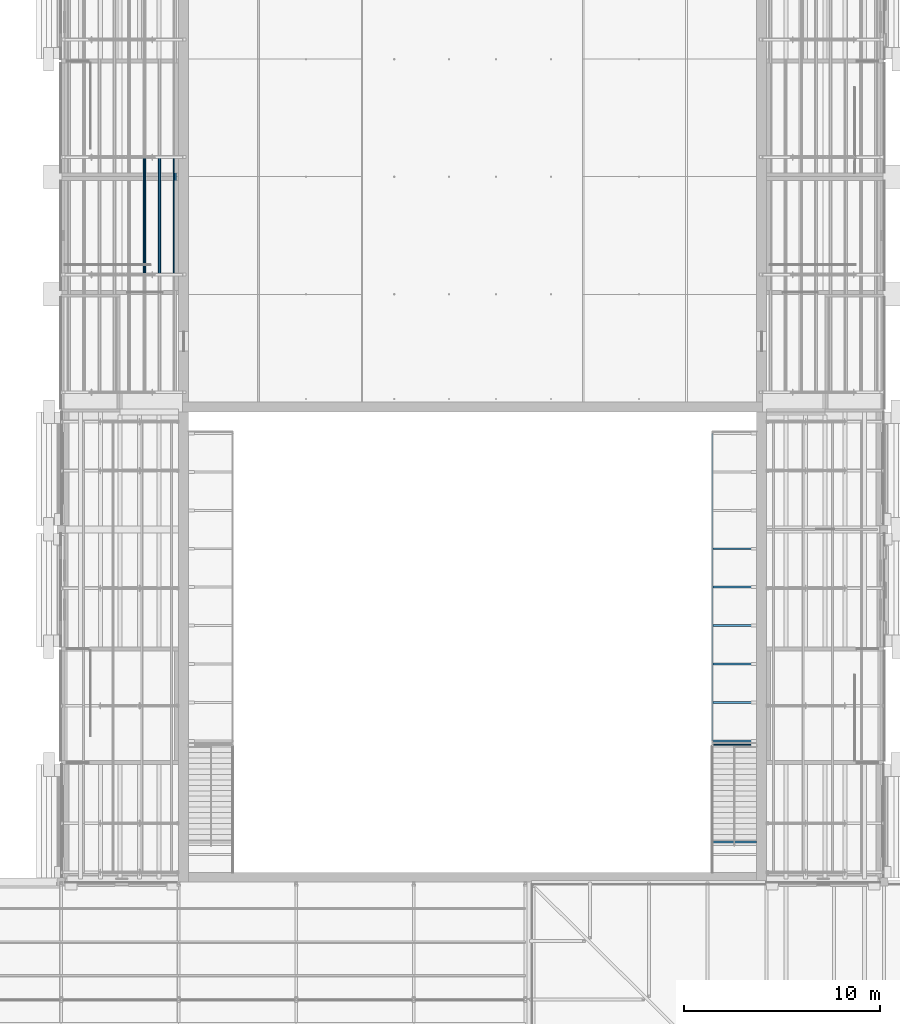
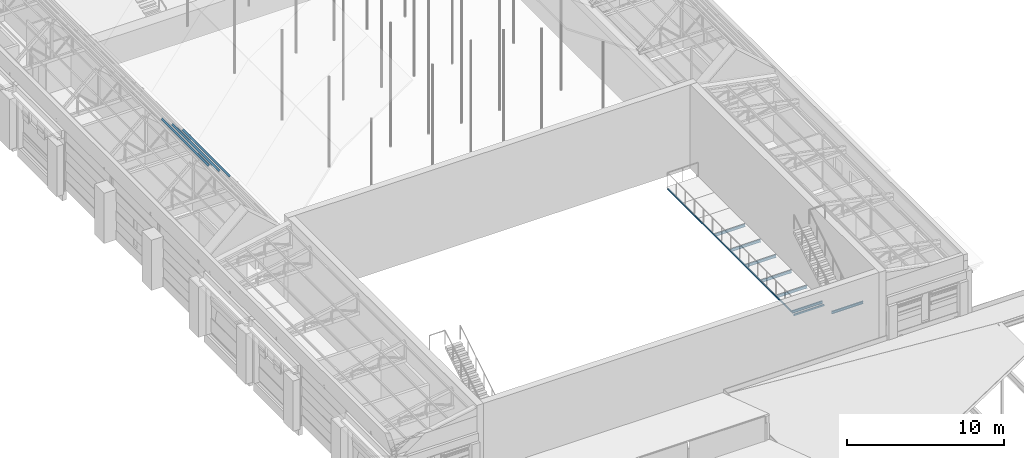
# One storey, part 30 of 118: 9 beams, 3 members.
"""IFC4 building model written with IfcOpenShell, lengths in metres."""

from ifc_helpers import new_model, si_unit, direction, frame, origin, origin_2d, place, context, subcontext, project, spatial, hollow_rectangle, i_section, extrude, material, material_profile, profile_set, type_object, element, save


model = new_model("IFC4")

# Units and contexts
model_context = context("Model", 3, precision=1e-05, world=origin(), true_north=direction((0.0, 1.0)))
body_context = subcontext(model_context, "Body", "Model", "MODEL_VIEW")
ifc_project = project(units=[si_unit("LENGTHUNIT", "METRE"), si_unit("AREAUNIT", "SQUARE_METRE"), si_unit("VOLUMEUNIT", "CUBIC_METRE"), si_unit("PLANEANGLEUNIT", "RADIAN"), si_unit("MASSUNIT", "GRAM", prefix="KILO")], contexts=[model_context])

# Site, building, storey
site_placement = place(None, origin())
site = spatial("IfcSite", under=ifc_project, at=site_placement, CompositionType="ELEMENT")
building_placement = place(site_placement, origin())
building = spatial("IfcBuilding", under=site, at=building_placement, Name="Saffron Lane Theatres", CompositionType="ELEMENT")
storey_placement = place(building_placement, frame((0.0, 0.0, 16.5)))
storey = spatial("IfcBuildingStorey", under=building, at=storey_placement, Name="L03", CompositionType="ELEMENT", Elevation=16.5)

# Beams
ifc_material_1 = material(Name="Steel Grade 350", Category="steel")
ifc_material_profile_1 = material_profile(ifc_material_1, i_section(OverallWidth=0.09912109375, OverallDepth=0.197998046875, WebThickness=0.00439453125, FlangeThickness=0.007080078125, FilletRadius=0.010986328125, at=origin_2d()))
ifc_profile_set_1 = profile_set([ifc_material_profile_1], Name="Steel Grade 350")
beam_type_1 = type_object("IfcBeamType", Name="ST-GALLERY BEAM 200UB18.2", PredefinedType="BEAM", material=ifc_profile_set_1)
for number, where, z_axis, x_axis, name in (
    (1, (45.27490234375, 37.199951171875, -0.14892578125), (1.0, 0.0, 0.0), (0.0, 1.0, 0.0), "FBE16.5-2"),
    (2, (45.27490234375, 39.16259765625, -0.14892578125), (1.0, 0.0, 0.0), (0.0, 1.0, 0.0), "FBE16.5-3"),
    (3, (45.27490234375, 41.125, -0.14892578125), (1.0, 0.0, 0.0), (0.0, 1.0, 0.0), "FBE16.5-4"),
    (4, (45.27490234375, 43.08740234375, -0.14892578125), (1.0, 0.0, 0.0), (0.0, 1.0, 0.0), "FBE16.5-5"),
    (5, (45.27490234375, 45.050048828125, -0.14892578125), (1.0, 0.0, 0.0), (0.0, 1.0, 0.0), "FBE16.5-6"),
    (6, (45.27490234375, 47.012451171875, -0.14892578125), (1.0, 0.0, 0.0), (0.0, 1.0, 0.0), "FBE16.5-7"),
):
    element("IfcBeam", number, at=place(storey_placement, frame(where, z_axis=z_axis, x_axis=x_axis)), inside=storey, type_object=beam_type_1, Name=name, PredefinedType="BEAM", context=body_context, shape_type="SweptSolid", body=[
        extrude(i_section(OverallWidth=0.09912109375, OverallDepth=0.197998046875, WebThickness=0.00439453125, FlangeThickness=0.007080078125, FilletRadius=0.010986328125, at=origin_2d()), origin(), (0.0, 0.0, 1.0), 2.22509765625),
    ])
beam_1_placement = place(storey_placement, frame((45.199951171875, 32.050048828125, 2.950927734375), z_axis=(1.0, 0.0, 0.0), x_axis=(0.0, 1.0, 0.0)))
element("IfcBeam", 7, at=beam_1_placement, inside=storey, type_object=beam_type_1, Name="FLE19.75-2", PredefinedType="BEAM", context=body_context, shape_type="SweptSolid", body=[
    extrude(i_section(OverallWidth=0.09912109375, OverallDepth=0.197998046875, WebThickness=0.00439453125, FlangeThickness=0.007080078125, FilletRadius=0.010986328125, at=origin_2d()), origin(), (0.0, 0.0, 1.0), 2.300048828125),
])
ifc_material_2 = material(Name="Steel Grade 350", Category="steel")
ifc_material_profile_2 = material_profile(ifc_material_2, hollow_rectangle(XDim=0.074951171875, YDim=0.125, WallThickness=0.0048828125, InnerFilletRadius=0.00244140625, OuterFilletRadius=0.007568359375, at=origin_2d()))
ifc_profile_set_2 = profile_set([ifc_material_profile_2], Name="Steel Grade 350")
beam_type_2 = type_object("IfcBeamType", Name="ST-GALLERY EDGE 125x75x5 RHS", PredefinedType="BEAM", material=ifc_profile_set_2)
beam_2_placement = place(storey_placement, frame((45.27490234375, 37.0, -0.262451171875), z_axis=(1.0, 0.0, 0.0), x_axis=(0.0, 1.0, 0.0)))
element("IfcBeam", 8, at=beam_2_placement, inside=storey, type_object=beam_type_2, Name="FBE16.5-1", PredefinedType="BEAM", context=body_context, shape_type="SweptSolid", body=[
    extrude(hollow_rectangle(XDim=0.074951171875, YDim=0.125, WallThickness=0.0048828125, InnerFilletRadius=0.00244140625, OuterFilletRadius=0.007568359375, at=origin_2d()), origin(), (0.0, 0.0, 1.0), 2.22509765625),
])
beam_3_placement = place(storey_placement, frame((45.237548828125, 37.199951171875, -0.112548828125), z_axis=(0.0, 1.0, 0.0), x_axis=(-1.0, 0.0, 0.0)))
element("IfcBeam", 9, at=beam_3_placement, inside=storey, type_object=beam_type_2, Name="FEE16.5", PredefinedType="BEAM", context=body_context, shape_type="SweptSolid", body=[
    extrude(hollow_rectangle(XDim=0.074951171875, YDim=0.125, WallThickness=0.0048828125, InnerFilletRadius=0.00244140625, OuterFilletRadius=0.007568359375, at=origin_2d()), origin(), (0.0, 0.0, 1.0), 15.699951171875),
])

# Members
ifc_material_3 = material(Name="Steel Grade 350", Category="steel")
ifc_material_profile_3 = material_profile(ifc_material_3, i_section(OverallWidth=0.074951171875, OverallDepth=0.155029296875, WebThickness=0.006103515625, FlangeThickness=0.009521484375, FilletRadius=0.008056640625, at=origin_2d()))
ifc_profile_set_3 = profile_set([ifc_material_profile_3], Name="Steel Grade 350")
member_type = type_object("IfcMemberType", Name="ST-STUDIO PURLIN 150UB18.0", PredefinedType="PURLIN", material=ifc_profile_set_3)
for number, where, z_axis, x_axis, name in (
    (10, (17.79736328125, 61.0, 5.544677734375), (0.0, 1.0, 0.0), (-0.748268687469, 0.0, 0.663395787863), "SB1-U82"),
    (11, (17.022216796875, 61.0, 6.23193359375), (0.0, 1.0, 0.0), (-0.748268687469, 0.0, 0.663395787863), "SB1-U88"),
    (12, (16.247314453125, 61.0, 6.9189453125), (0.0, 1.0, 0.0), (-0.748268687469, 0.0, 0.663395787863), "SB1-U94"),
):
    element("IfcMember", number, at=place(storey_placement, frame(where, z_axis=z_axis, x_axis=x_axis)), inside=storey, type_object=member_type, Name=name, PredefinedType="PURLIN", context=body_context, shape_type="SweptSolid", body=[
        extrude(i_section(OverallWidth=0.074951171875, OverallDepth=0.155029296875, WebThickness=0.006103515625, FlangeThickness=0.009521484375, FilletRadius=0.008056640625, at=origin_2d()), origin(), (0.0, 0.0, 1.0), 6.0),
    ])

save(model, "model.ifc")
